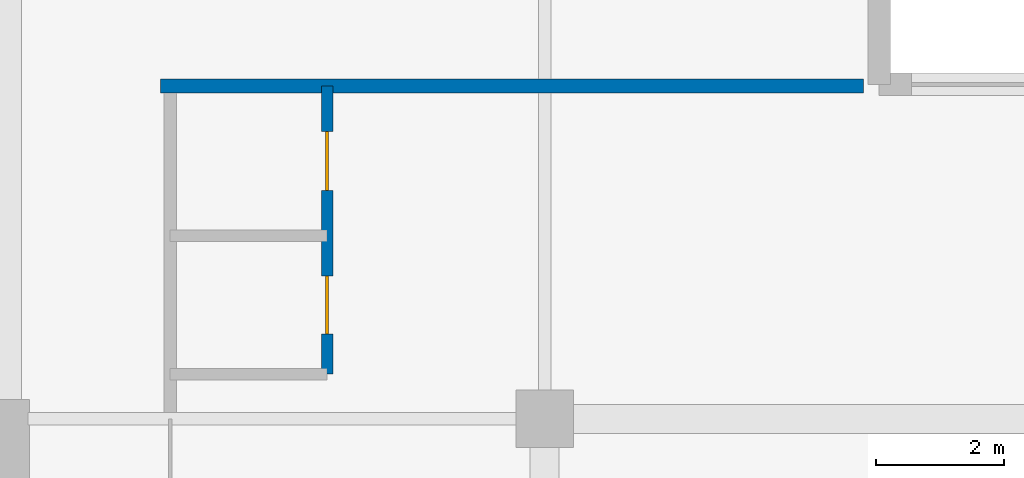
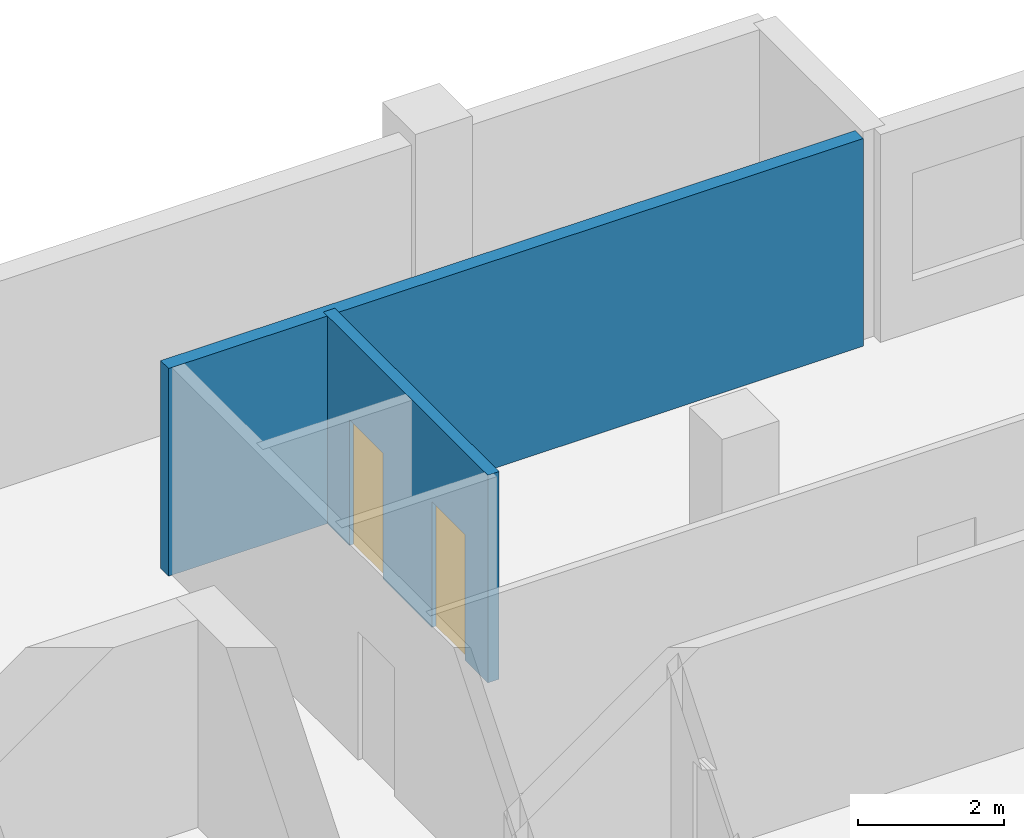
# One storey, part 8 of 16: 2 doors, 2 walls, 2 openings.
"""IFC4 building model written with IfcOpenShell, lengths in metres."""

from ifc_helpers import new_model, si_unit, direction, frame, frame_2d, origin, place, context, subcontext, project, spatial, rectangle, extrude, material, layer, layer_set, type_object, element, fill, save


model = new_model("IFC4")

# Units and contexts
model_context = context("Model", 3, precision=1e-05, world=origin(), true_north=direction((0.0, 1.0)))
body_context = subcontext(model_context, "Body", "Model", "MODEL_VIEW")
ifc_project = project(units=[si_unit("LENGTHUNIT", "METRE"), si_unit("AREAUNIT", "SQUARE_METRE"), si_unit("VOLUMEUNIT", "CUBIC_METRE"), si_unit("PLANEANGLEUNIT", "RADIAN"), si_unit("MASSUNIT", "GRAM", prefix="KILO")], contexts=[model_context])

# Site, building, storey
site_placement = place(None, origin())
site = spatial("IfcSite", under=ifc_project, at=site_placement, CompositionType="ELEMENT")
building_placement = place(site_placement, origin())
building = spatial("IfcBuilding", under=site, at=building_placement, Name="Koriwani Terraces Tower", CompositionType="ELEMENT")
storey_placement = place(building_placement, frame((0.0, 0.0, 267.5)))
storey = spatial("IfcBuildingStorey", under=building, at=storey_placement, Name="L66", CompositionType="ELEMENT", Elevation=267.5)

# Wall
ifc_material_1 = material(Name="Autoclaved Cellular Concrete Blockwork", Category="masonry")
ifc_layer_1 = layer(ifc_material_1, 0.219970703125, Name="Autoclaved Cellular Concrete Blockwork")
ifc_layer_set_1 = layer_set([ifc_layer_1], Name="Autoclaved Cellular Concrete Blockwork")
wall_type_1 = type_object("IfcWallType", Name="WALL_DEMISING_220", PredefinedType="PARTITIONING", material=ifc_layer_set_1)
wall_1_placement = place(storey_placement, frame((61.199951171875, 30.39990234375, 0.0), z_axis=(0.0, 0.0, 1.0), x_axis=(1.0, 0.0, 0.0)))
element("IfcWall", 1, at=wall_1_placement, inside=storey, type_object=wall_type_1, Name="L66 Interior Wall WRDEME-L66-ETE", PredefinedType="PARTITIONING", context=body_context, shape_type="SweptSolid", body=[
    extrude(rectangle(XDim=10.97998046875, YDim=0.219970703125, at=frame_2d((5.489990234375, 0.0))), origin(), (0.0, 0.0, 1.0), 3.469970703125),
])

# Wall, openings, doors
ifc_material_2 = material(Name="Fire-Rated Acoustic Gypsum Partition", Category="masonry")
ifc_layer_2 = layer(ifc_material_2, 0.179931640625, Name="Fire-Rated Acoustic Gypsum Partition")
ifc_layer_set_2 = layer_set([ifc_layer_2], Name="Fire-Rated Acoustic Gypsum Partition")
wall_type_2 = type_object("IfcWallType", Name="WALL_PLUMBING_180", PredefinedType="PLUMBINGWALL", material=ifc_layer_set_2)
wall_2_placement = place(storey_placement, frame((63.800048828125, 25.89990234375, 0.0), z_axis=(0.0, 0.0, 1.0), x_axis=(0.0, 1.0, 0.0)))
wall_2 = element("IfcWall", 2, at=wall_2_placement, inside=storey, type_object=wall_type_2, Name="L66 Interior Wall WRSVC-L66-ETE-1", PredefinedType="PLUMBINGWALL", context=body_context, shape_type="SweptSolid", body=[
    extrude(rectangle(XDim=4.5, YDim=0.179931640625, at=frame_2d((2.25, 0.0))), origin(), (0.0, 0.0, 1.0), 3.469970703125),
])
opening_1_placement = place(wall_2_placement, frame((0.6298828125, 0.0, 0.0)))
opening_1 = element("IfcOpeningElement", 3, at=opening_1_placement, cuts=wall_2, Name="Opening D-07", PredefinedType="OPENING", context=body_context, shape_type="SweptSolid", body=[
    extrude(rectangle(XDim=0.89990234375, YDim=2.10009765625, at=frame_2d((0.449951171875, 1.050048828125))), frame((0.0, 0.10009765625, 0.0), z_axis=(0.0, -1.0, 0.0), x_axis=(1.0, 0.0, 0.0)), (0.0, 0.0, 1.0), 0.199951171875),
])
opening_2_placement = place(wall_2_placement, frame((2.8701171875, 0.0, 0.0)))
opening_2 = element("IfcOpeningElement", 4, at=opening_2_placement, cuts=wall_2, Name="Opening D-06", PredefinedType="OPENING", context=body_context, shape_type="SweptSolid", body=[
    extrude(rectangle(XDim=0.919921875, YDim=2.10009765625, at=frame_2d((0.4599609375, 1.050048828125))), frame((0.0, 0.10009765625, 0.0), z_axis=(0.0, -1.0, 0.0), x_axis=(1.0, 0.0, 0.0)), (0.0, 0.0, 1.0), 0.199951171875),
])
ifc_material_3 = material(Name="Architectural Oak Fire Door", Category="wood")
door_type_1 = type_object("IfcDoorType", Name="DOOR_BATH_INT_900X2100", OperationType="NOTDEFINED", PredefinedType="DOOR", material=ifc_material_3)
door_1_placement = place(opening_1_placement, origin())
door_1 = element("IfcDoor", 5, at=door_1_placement, inside=storey, type_object=door_type_1, Name="Apartment 66ETE2 Bathroom Door", OperationType="SINGLE_SWING_LEFT", OverallHeight=2.10009765625, OverallWidth=0.89990234375, PredefinedType="DOOR", context=body_context, shape_type="SweptSolid", body=[
    extrude(rectangle(XDim=0.89990234375, YDim=2.10009765625, at=frame_2d((0.449951171875, 1.050048828125))), frame((0.0, 0.02490234375, 0.0), z_axis=(0.0, -1.0, 0.0), x_axis=(1.0, 0.0, 0.0)), (0.0, 0.0, 1.0), 0.050048828125),
])
fill(opening_1, door_1)
door_type_2 = type_object("IfcDoorType", Name="DOOR_ROOM_INT_920X2100", OperationType="NOTDEFINED", PredefinedType="DOOR", material=ifc_material_3)
door_2_placement = place(opening_2_placement, origin())
door_2 = element("IfcDoor", 6, at=door_2_placement, inside=storey, type_object=door_type_2, Name="Apartment 66ETE2 Kitchen Door", OperationType="SINGLE_SWING_RIGHT", OverallHeight=2.10009765625, OverallWidth=0.919921875, PredefinedType="DOOR", context=body_context, shape_type="SweptSolid", body=[
    extrude(rectangle(XDim=0.919921875, YDim=2.10009765625, at=frame_2d((0.4599609375, 1.050048828125))), frame((0.0, 0.02490234375, 0.0), z_axis=(0.0, -1.0, 0.0), x_axis=(1.0, 0.0, 0.0)), (0.0, 0.0, 1.0), 0.050048828125),
])
fill(opening_2, door_2)

save(model, "model.ifc")
